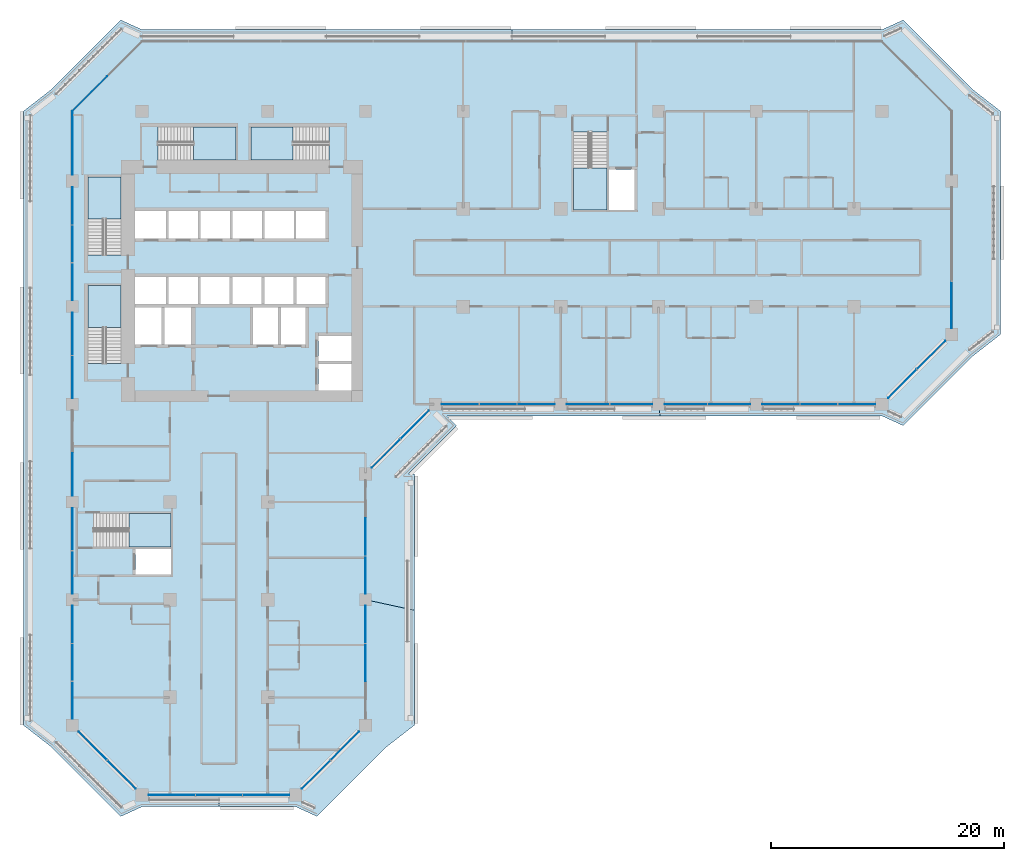
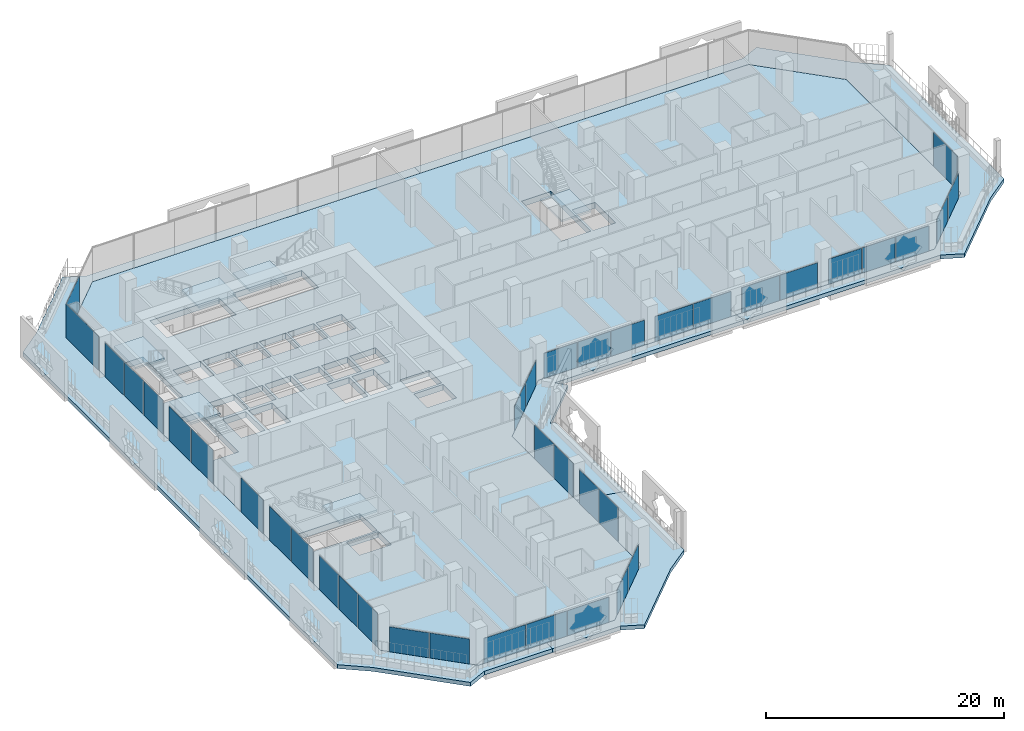
# One storey, part 10 of 25: 39 plates, 11 slabs, 16 elements without a shape of their own.
"""IFC4 building model written with IfcOpenShell, lengths in metres."""

from ifc_helpers import new_model, si_unit, direction, frame, origin, origin_2d, place, context, subcontext, project, spatial, polyline, rectangle, outline, extrude, material, layer, layer_set, type_object, element, aggregate, save


model = new_model("IFC4")

# Units and contexts
model_context = context("Model", 3, precision=1e-05, world=origin(), true_north=direction((0.0, 1.0)))
body_context = subcontext(model_context, "Body", "Model", "MODEL_VIEW")
ifc_project = project(units=[si_unit("LENGTHUNIT", "METRE"), si_unit("AREAUNIT", "SQUARE_METRE"), si_unit("VOLUMEUNIT", "CUBIC_METRE"), si_unit("PLANEANGLEUNIT", "RADIAN"), si_unit("MASSUNIT", "GRAM", prefix="KILO")], contexts=[model_context])

# Site, building, storey
site_placement = place(None, origin())
site = spatial("IfcSite", under=ifc_project, at=site_placement, CompositionType="ELEMENT")
building_placement = place(site_placement, origin())
building = spatial("IfcBuilding", under=site, at=building_placement, Name="Kawkab Arch Medical Tower", CompositionType="ELEMENT")
storey_placement = place(building_placement, frame((0.0, 0.0, 145.0)))
storey = spatial("IfcBuildingStorey", under=building, at=storey_placement, Name="L33", CompositionType="ELEMENT", Elevation=145.0)

# Curtain wall, plates
ifc_material_1 = material(Name="Bronze anodised aluminium curtain wall frame", Category="aluminium")
ifc_layer_1 = layer(ifc_material_1, 0.159912109375)
ifc_layer_set_1 = layer_set([ifc_layer_1], Name="Bronze anodised aluminium curtain wall frame")
curtain_wall_type_1 = type_object("IfcCurtainWallType", Name="CW1 ward curtain wall", PredefinedType="NOTDEFINED", material=ifc_layer_set_1)
placement_1 = place(storey_placement, origin())
curtain_wall_1 = element("IfcCurtainWall", 1, at=placement_1, inside=storey, type_object=curtain_wall_type_1, Name="CW1 Ward curtain wall R01", PredefinedType="NOTDEFINED")
ifc_material_2 = material(Name="Tinted insulating glass, bronze low-e coating", Category="glass")
ifc_layer_2 = layer(ifc_material_2, 0.031982421875)
ifc_layer_set_2 = layer_set([ifc_layer_2], Name="Tinted insulating glass, bronze low-e coating")
plate_type_1 = type_object("IfcPlateType", Name="CW1 glazing unit 32", PredefinedType="CURTAIN_PANEL", material=ifc_layer_set_2)
plate_1_placement = place(storey_placement, frame((0.0, -2.72509765625, 0.0), z_axis=(0.0, 0.0, 1.0), x_axis=(0.0, -1.0, 0.0)))
plate_1 = element("IfcPlate", 2, at=plate_1_placement, type_object=plate_type_1, Name="CW1 glazing unit 1.1", PredefinedType="CURTAIN_PANEL", context=body_context, shape_type="SweptSolid", body=[
    extrude(rectangle(XDim=5.449951171875, YDim=0.031982421875, at=origin_2d()), origin(), (0.0, 0.0, 1.0), 3.47998046875),
])
plate_2_placement = place(storey_placement, frame((0.0, -8.15576171875, 0.0), z_axis=(0.0, 0.0, 1.0), x_axis=(0.0, -1.0, 0.0)))
plate_2 = element("IfcPlate", 3, at=plate_2_placement, type_object=plate_type_1, Name="CW1 glazing unit 2.1", PredefinedType="CURTAIN_PANEL", context=body_context, shape_type="SweptSolid", body=[
    extrude(rectangle(XDim=3.211669921875, YDim=0.031982421875, at=origin_2d()), origin(), (0.0, 0.0, 1.0), 3.47998046875),
])
plate_3_placement = place(storey_placement, frame((0.0, -11.41259765625, 0.0), z_axis=(0.0, 0.0, 1.0), x_axis=(0.0, -1.0, 0.0)))
plate_3 = element("IfcPlate", 4, at=plate_3_placement, type_object=plate_type_1, Name="CW1 glazing unit 2.2", PredefinedType="CURTAIN_PANEL", context=body_context, shape_type="SweptSolid", body=[
    extrude(rectangle(XDim=3.181640625, YDim=0.031982421875, at=origin_2d()), origin(), (0.0, 0.0, 1.0), 3.47998046875),
])
plate_4_placement = place(storey_placement, frame((0.0, -14.669189453125, 0.0), z_axis=(0.0, 0.0, 1.0), x_axis=(0.0, -1.0, 0.0)))
plate_4 = element("IfcPlate", 5, at=plate_4_placement, type_object=plate_type_1, Name="CW1 glazing unit 2.3", PredefinedType="CURTAIN_PANEL", context=body_context, shape_type="SweptSolid", body=[
    extrude(rectangle(XDim=3.211669921875, YDim=0.031982421875, at=origin_2d()), origin(), (0.0, 0.0, 1.0), 3.47998046875),
])
plate_5_placement = place(storey_placement, frame((0.0, -19.1474609375, 0.0), z_axis=(0.0, 0.0, 1.0), x_axis=(0.0, -1.0, 0.0)))
plate_5 = element("IfcPlate", 6, at=plate_5_placement, type_object=plate_type_1, Name="CW1 glazing unit 3.1", PredefinedType="CURTAIN_PANEL", context=body_context, shape_type="SweptSolid", body=[
    extrude(rectangle(XDim=3.64501953125, YDim=0.031982421875, at=origin_2d()), origin(), (0.0, 0.0, 1.0), 3.47998046875),
])
plate_6_placement = place(storey_placement, frame((0.0, -22.8525390625, 0.0), z_axis=(0.0, 0.0, 1.0), x_axis=(0.0, -1.0, 0.0)))
plate_6 = element("IfcPlate", 7, at=plate_6_placement, type_object=plate_type_1, Name="CW1 glazing unit 3.2", PredefinedType="CURTAIN_PANEL", context=body_context, shape_type="SweptSolid", body=[
    extrude(rectangle(XDim=3.64501953125, YDim=0.031982421875, at=origin_2d()), origin(), (0.0, 0.0, 1.0), 3.47998046875),
])
plate_7_placement = place(storey_placement, frame((0.0, -31.237548828125, 0.0), z_axis=(0.0, 0.0, 1.0), x_axis=(0.0, -1.0, 0.0)))
plate_7 = element("IfcPlate", 8, at=plate_7_placement, type_object=plate_type_1, Name="CW1 glazing unit 4.2", PredefinedType="CURTAIN_PANEL", context=body_context, shape_type="SweptSolid", body=[
    extrude(rectangle(XDim=3.675048828125, YDim=0.031982421875, at=origin_2d()), origin(), (0.0, 0.0, 1.0), 3.47998046875),
])
plate_8_placement = place(storey_placement, frame((0.0, -35.947509765625, 0.0), z_axis=(0.0, 0.0, 1.0), x_axis=(0.0, -1.0, 0.0)))
plate_8 = element("IfcPlate", 9, at=plate_8_placement, type_object=plate_type_1, Name="CW1 glazing unit 5.1", PredefinedType="CURTAIN_PANEL", context=body_context, shape_type="SweptSolid", body=[
    extrude(rectangle(XDim=3.64501953125, YDim=0.031982421875, at=origin_2d()), origin(), (0.0, 0.0, 1.0), 3.47998046875),
])
plate_9_placement = place(storey_placement, frame((0.0, -39.652587890625, 0.0), z_axis=(0.0, 0.0, 1.0), x_axis=(0.0, -1.0, 0.0)))
plate_9 = element("IfcPlate", 10, at=plate_9_placement, type_object=plate_type_1, Name="CW1 glazing unit 5.2", PredefinedType="CURTAIN_PANEL", context=body_context, shape_type="SweptSolid", body=[
    extrude(rectangle(XDim=3.64501953125, YDim=0.031982421875, at=origin_2d()), origin(), (0.0, 0.0, 1.0), 3.47998046875),
])
plate_10_placement = place(storey_placement, frame((0.0, -44.130859375, 0.0), z_axis=(0.0, 0.0, 1.0), x_axis=(0.0, -1.0, 0.0)))
plate_10 = element("IfcPlate", 11, at=plate_10_placement, type_object=plate_type_1, Name="CW1 glazing unit 6.1", PredefinedType="CURTAIN_PANEL", context=body_context, shape_type="SweptSolid", body=[
    extrude(rectangle(XDim=3.211669921875, YDim=0.031982421875, at=origin_2d()), origin(), (0.0, 0.0, 1.0), 3.47998046875),
])
plate_11_placement = place(storey_placement, frame((0.0, -47.387451171875, 0.0), z_axis=(0.0, 0.0, 1.0), x_axis=(0.0, -1.0, 0.0)))
plate_11 = element("IfcPlate", 12, at=plate_11_placement, type_object=plate_type_1, Name="CW1 glazing unit 6.2", PredefinedType="CURTAIN_PANEL", context=body_context, shape_type="SweptSolid", body=[
    extrude(rectangle(XDim=3.181640625, YDim=0.031982421875, at=origin_2d()), origin(), (0.0, 0.0, 1.0), 3.47998046875),
])
plate_12_placement = place(storey_placement, frame((0.0, -50.644287109375, 0.0), z_axis=(0.0, 0.0, 1.0), x_axis=(0.0, -1.0, 0.0)))
plate_12 = element("IfcPlate", 13, at=plate_12_placement, type_object=plate_type_1, Name="CW1 glazing unit 6.3", PredefinedType="CURTAIN_PANEL", context=body_context, shape_type="SweptSolid", body=[
    extrude(rectangle(XDim=3.211669921875, YDim=0.031982421875, at=origin_2d()), origin(), (0.0, 0.0, 1.0), 3.47998046875),
])
aggregate(curtain_wall_1, [plate_1, plate_2, plate_3, plate_4, plate_5, plate_6, plate_7, plate_8, plate_9, plate_10, plate_11, plate_12])

curtain_wall_2 = element("IfcCurtainWall", 14, at=placement_1, inside=storey, type_object=curtain_wall_type_1, Name="CW1 Ward curtain wall R03", PredefinedType="NOTDEFINED")
plate_13_placement = place(storey_placement, frame((8.5517578125, -58.800048828125, 0.0), z_axis=(0.0, 0.0, 1.0), x_axis=(1.0, 0.0, 0.0)))
plate_13 = element("IfcPlate", 15, at=plate_13_placement, type_object=plate_type_1, Name="CW1 glazing unit 1.1", PredefinedType="CURTAIN_PANEL", context=body_context, shape_type="SweptSolid", body=[
    extrude(rectangle(XDim=4.00341796875, YDim=0.031982421875, at=origin_2d()), origin(), (0.0, 0.0, 1.0), 2.580078125),
])
plate_14_placement = place(storey_placement, frame((12.60009765625, -58.800048828125, 0.0), z_axis=(0.0, 0.0, 1.0), x_axis=(1.0, 0.0, 0.0)))
plate_14 = element("IfcPlate", 16, at=plate_14_placement, type_object=plate_type_1, Name="CW1 glazing unit 1.2", PredefinedType="CURTAIN_PANEL", context=body_context, shape_type="SweptSolid", body=[
    extrude(rectangle(XDim=3.973388671875, YDim=0.031982421875, at=origin_2d()), origin(), (0.0, 0.0, 1.0), 2.580078125),
])
plate_15_placement = place(storey_placement, frame((16.6484375, -58.800048828125, 0.0), z_axis=(0.0, 0.0, 1.0), x_axis=(1.0, 0.0, 0.0)))
plate_15 = element("IfcPlate", 17, at=plate_15_placement, type_object=plate_type_1, Name="CW1 glazing unit 1.3", PredefinedType="CURTAIN_PANEL", context=body_context, shape_type="SweptSolid", body=[
    extrude(rectangle(XDim=4.00341796875, YDim=0.031982421875, at=origin_2d()), origin(), (0.0, 0.0, 1.0), 2.580078125),
])
aggregate(curtain_wall_2, [plate_13, plate_14, plate_15])

curtain_wall_3 = element("IfcCurtainWall", 18, at=placement_1, inside=storey, type_object=curtain_wall_type_1, Name="CW1 Ward curtain wall R05", PredefinedType="NOTDEFINED")
plate_16_placement = place(storey_placement, frame((25.199951171875, -47.402587890625, 0.0), z_axis=(0.0, 0.0, 1.0), x_axis=(0.0, 1.0, 0.0)))
plate_16 = element("IfcPlate", 19, at=plate_16_placement, type_object=plate_type_1, Name="CW1 glazing unit 1.2", PredefinedType="CURTAIN_PANEL", context=body_context, shape_type="SweptSolid", body=[
    extrude(rectangle(XDim=3.211669921875, YDim=0.031982421875, at=origin_2d()), origin(), (0.0, 0.0, 1.0), 3.47998046875),
])
plate_17_placement = place(storey_placement, frame((25.199951171875, -44.130859375, 0.0), z_axis=(0.0, 0.0, 1.0), x_axis=(0.0, 1.0, 0.0)))
plate_17 = element("IfcPlate", 20, at=plate_17_placement, type_object=plate_type_1, Name="CW1 glazing unit 1.3", PredefinedType="CURTAIN_PANEL", context=body_context, shape_type="SweptSolid", body=[
    extrude(rectangle(XDim=3.211669921875, YDim=0.031982421875, at=origin_2d()), origin(), (0.0, 0.0, 1.0), 3.47998046875),
])
plate_18_placement = place(storey_placement, frame((25.199951171875, -39.869140625, 0.0), z_axis=(0.0, 0.0, 1.0), x_axis=(0.0, 1.0, 0.0)))
plate_18 = element("IfcPlate", 21, at=plate_18_placement, type_object=plate_type_1, Name="CW1 glazing unit 2.1", PredefinedType="CURTAIN_PANEL", context=body_context, shape_type="SweptSolid", body=[
    extrude(rectangle(XDim=3.211669921875, YDim=0.031982421875, at=origin_2d()), origin(), (0.0, 0.0, 1.0), 3.47998046875),
])
plate_19_placement = place(storey_placement, frame((25.199951171875, -36.597412109375, 0.0), z_axis=(0.0, 0.0, 1.0), x_axis=(0.0, 1.0, 0.0)))
plate_19 = element("IfcPlate", 22, at=plate_19_placement, type_object=plate_type_1, Name="CW1 glazing unit 2.2", PredefinedType="CURTAIN_PANEL", context=body_context, shape_type="SweptSolid", body=[
    extrude(rectangle(XDim=3.211669921875, YDim=0.031982421875, at=origin_2d()), origin(), (0.0, 0.0, 1.0), 3.47998046875),
])
aggregate(curtain_wall_3, [plate_16, plate_17, plate_18, plate_19])

curtain_wall_4 = element("IfcCurtainWall", 23, at=placement_1, inside=storey, type_object=curtain_wall_type_1, Name="CW1 Ward curtain wall R07", PredefinedType="NOTDEFINED")
plate_20_placement = place(storey_placement, frame((33.355712890625, -25.199951171875, 0.0), z_axis=(0.0, 0.0, 1.0), x_axis=(1.0, 0.0, 0.0)))
plate_20 = element("IfcPlate", 24, at=plate_20_placement, type_object=plate_type_1, Name="CW1 glazing unit 1.1", PredefinedType="CURTAIN_PANEL", context=body_context, shape_type="SweptSolid", body=[
    extrude(rectangle(XDim=3.211669921875, YDim=0.031982421875, at=origin_2d()), origin(), (0.0, 0.0, 1.0), 2.580078125),
])
plate_21_placement = place(storey_placement, frame((36.612548828125, -25.199951171875, 0.0), z_axis=(0.0, 0.0, 1.0), x_axis=(1.0, 0.0, 0.0)))
plate_21 = element("IfcPlate", 25, at=plate_21_placement, type_object=plate_type_1, Name="CW1 glazing unit 1.2", PredefinedType="CURTAIN_PANEL", context=body_context, shape_type="SweptSolid", body=[
    extrude(rectangle(XDim=3.181640625, YDim=0.031982421875, at=origin_2d()), origin(), (0.0, 0.0, 1.0), 2.580078125),
])
plate_22_placement = place(storey_placement, frame((39.869140625, -25.199951171875, 0.0), z_axis=(0.0, 0.0, 1.0), x_axis=(1.0, 0.0, 0.0)))
plate_22 = element("IfcPlate", 26, at=plate_22_placement, type_object=plate_type_1, Name="CW1 glazing unit 1.3", PredefinedType="CURTAIN_PANEL", context=body_context, shape_type="SweptSolid", body=[
    extrude(rectangle(XDim=3.211669921875, YDim=0.031982421875, at=origin_2d()), origin(), (0.0, 0.0, 1.0), 2.580078125),
])
plate_23_placement = place(storey_placement, frame((44.347412109375, -25.199951171875, 0.0), z_axis=(0.0, 0.0, 1.0), x_axis=(1.0, 0.0, 0.0)))
plate_23 = element("IfcPlate", 27, at=plate_23_placement, type_object=plate_type_1, Name="CW1 glazing unit 2.1", PredefinedType="CURTAIN_PANEL", context=body_context, shape_type="SweptSolid", body=[
    extrude(rectangle(XDim=3.64501953125, YDim=0.031982421875, at=origin_2d()), origin(), (0.0, 0.0, 1.0), 2.580078125),
])
plate_24_placement = place(storey_placement, frame((48.052490234375, -25.199951171875, 0.0), z_axis=(0.0, 0.0, 1.0), x_axis=(1.0, 0.0, 0.0)))
plate_24 = element("IfcPlate", 28, at=plate_24_placement, type_object=plate_type_1, Name="CW1 glazing unit 2.2", PredefinedType="CURTAIN_PANEL", context=body_context, shape_type="SweptSolid", body=[
    extrude(rectangle(XDim=3.64501953125, YDim=0.031982421875, at=origin_2d()), origin(), (0.0, 0.0, 1.0), 2.580078125),
])
plate_25_placement = place(storey_placement, frame((52.74755859375, -25.199951171875, 0.0), z_axis=(0.0, 0.0, 1.0), x_axis=(1.0, 0.0, 0.0)))
plate_25 = element("IfcPlate", 29, at=plate_25_placement, type_object=plate_type_1, Name="CW1 glazing unit 3.1", PredefinedType="CURTAIN_PANEL", context=body_context, shape_type="SweptSolid", body=[
    extrude(rectangle(XDim=3.64501953125, YDim=0.031982421875, at=origin_2d()), origin(), (0.0, 0.0, 1.0), 2.580078125),
])
plate_26_placement = place(storey_placement, frame((56.452392578125, -25.199951171875, 0.0), z_axis=(0.0, 0.0, 1.0), x_axis=(1.0, 0.0, 0.0)))
plate_26 = element("IfcPlate", 30, at=plate_26_placement, type_object=plate_type_1, Name="CW1 glazing unit 3.2", PredefinedType="CURTAIN_PANEL", context=body_context, shape_type="SweptSolid", body=[
    extrude(rectangle(XDim=3.64501953125, YDim=0.031982421875, at=origin_2d()), origin(), (0.0, 0.0, 1.0), 2.580078125),
])
plate_27_placement = place(storey_placement, frame((60.930908203125, -25.199951171875, 0.0), z_axis=(0.0, 0.0, 1.0), x_axis=(1.0, 0.0, 0.0)))
plate_27 = element("IfcPlate", 31, at=plate_27_placement, type_object=plate_type_1, Name="CW1 glazing unit 4.1", PredefinedType="CURTAIN_PANEL", context=body_context, shape_type="SweptSolid", body=[
    extrude(rectangle(XDim=3.211669921875, YDim=0.031982421875, at=origin_2d()), origin(), (0.0, 0.0, 1.0), 2.580078125),
])
plate_28_placement = place(storey_placement, frame((64.1875, -25.199951171875, 0.0), z_axis=(0.0, 0.0, 1.0), x_axis=(1.0, 0.0, 0.0)))
plate_28 = element("IfcPlate", 32, at=plate_28_placement, type_object=plate_type_1, Name="CW1 glazing unit 4.2", PredefinedType="CURTAIN_PANEL", context=body_context, shape_type="SweptSolid", body=[
    extrude(rectangle(XDim=3.181640625, YDim=0.031982421875, at=origin_2d()), origin(), (0.0, 0.0, 1.0), 2.580078125),
])
plate_29_placement = place(storey_placement, frame((67.444091796875, -25.199951171875, 0.0), z_axis=(0.0, 0.0, 1.0), x_axis=(1.0, 0.0, 0.0)))
plate_29 = element("IfcPlate", 33, at=plate_29_placement, type_object=plate_type_1, Name="CW1 glazing unit 4.3", PredefinedType="CURTAIN_PANEL", context=body_context, shape_type="SweptSolid", body=[
    extrude(rectangle(XDim=3.211669921875, YDim=0.031982421875, at=origin_2d()), origin(), (0.0, 0.0, 1.0), 2.580078125),
])
aggregate(curtain_wall_4, [plate_20, plate_21, plate_22, plate_23, plate_24, plate_25, plate_26, plate_27, plate_28, plate_29])

# Curtain wall, plate
curtain_wall_5 = element("IfcCurtainWall", 34, at=placement_1, inside=storey, type_object=curtain_wall_type_1, Name="CW1 Ward curtain wall R09", PredefinedType="NOTDEFINED")
plate_30_placement = place(storey_placement, frame((75.60009765625, -16.6484375, 0.0), z_axis=(0.0, 0.0, 1.0), x_axis=(0.0, 1.0, 0.0)))
plate_30 = element("IfcPlate", 35, at=plate_30_placement, type_object=plate_type_1, Name="CW1 glazing unit 1.1", PredefinedType="CURTAIN_PANEL", context=body_context, shape_type="SweptSolid", body=[
    extrude(rectangle(XDim=4.00341796875, YDim=0.031982421875, at=origin_2d()), origin(), (0.0, 0.0, 1.0), 3.47998046875),
])
aggregate(curtain_wall_5, [plate_30])

# Curtain wall, plates
ifc_material_3 = material(Name="Bronze anodised aluminium curtain wall frame", Category="aluminium")
ifc_layer_3 = layer(ifc_material_3, 0.159912109375)
ifc_layer_set_3 = layer_set([ifc_layer_3], Name="Bronze anodised aluminium curtain wall frame")
curtain_wall_type_2 = type_object("IfcCurtainWallType", Name="CW2 chamfer curtain wall", PredefinedType="NOTDEFINED", material=ifc_layer_set_3)
curtain_wall_6 = element("IfcCurtainWall", 36, at=placement_1, inside=storey, type_object=curtain_wall_type_2, Name="CW2 Chamfer curtain wall R02", PredefinedType="NOTDEFINED")
ifc_material_4 = material(Name="Tinted insulating glass, bronze low-e coating", Category="glass")
ifc_layer_4 = layer(ifc_material_4, 0.031982421875)
ifc_layer_set_4 = layer_set([ifc_layer_4], Name="Tinted insulating glass, bronze low-e coating")
plate_type_2 = type_object("IfcPlateType", Name="CW2 glazing unit 32", PredefinedType="CURTAIN_PANEL", material=ifc_layer_set_4)
plate_31_placement = place(storey_placement, frame((1.764404296875, -54.564453125, 0.0), z_axis=(0.0, 0.0, 1.0), x_axis=(0.707106781187, -0.707106781187, 0.0)))
plate_31 = element("IfcPlate", 37, at=plate_31_placement, type_object=plate_type_2, Name="CW2 glazing unit 1.1", PredefinedType="CURTAIN_PANEL", context=body_context, shape_type="SweptSolid", body=[
    extrude(rectangle(XDim=3.434814453125, YDim=0.031982421875, at=origin_2d()), origin(), (0.0, 0.0, 1.0), 2.56005859375),
])
plate_32_placement = place(storey_placement, frame((4.235595703125, -57.03564453125, 0.0), z_axis=(0.0, 0.0, 1.0), x_axis=(0.707106781187, -0.707106781187, 0.0)))
plate_32 = element("IfcPlate", 38, at=plate_32_placement, type_object=plate_type_2, Name="CW2 glazing unit 1.2", PredefinedType="CURTAIN_PANEL", context=body_context, shape_type="SweptSolid", body=[
    extrude(rectangle(XDim=3.434814453125, YDim=0.031982421875, at=origin_2d()), origin(), (0.0, 0.0, 1.0), 2.56005859375),
])
aggregate(curtain_wall_6, [plate_31, plate_32])

curtain_wall_7 = element("IfcCurtainWall", 39, at=placement_1, inside=storey, type_object=curtain_wall_type_2, Name="CW2 Chamfer curtain wall R04", PredefinedType="NOTDEFINED")
plate_33_placement = place(storey_placement, frame((20.96435546875, -57.03564453125, 0.0), z_axis=(0.0, 0.0, 1.0), x_axis=(0.707106781187, 0.707106781187, 0.0)))
plate_33 = element("IfcPlate", 40, at=plate_33_placement, type_object=plate_type_2, Name="CW2 glazing unit 1.1", PredefinedType="CURTAIN_PANEL", context=body_context, shape_type="SweptSolid", body=[
    extrude(rectangle(XDim=3.434814453125, YDim=0.031982421875, at=origin_2d()), origin(), (0.0, 0.0, 1.0), 2.56005859375),
])
plate_34_placement = place(storey_placement, frame((23.435546875, -54.564453125, 0.0), z_axis=(0.0, 0.0, 1.0), x_axis=(0.707106781187, 0.707106781187, 0.0)))
plate_34 = element("IfcPlate", 41, at=plate_34_placement, type_object=plate_type_2, Name="CW2 glazing unit 1.2", PredefinedType="CURTAIN_PANEL", context=body_context, shape_type="SweptSolid", body=[
    extrude(rectangle(XDim=3.434814453125, YDim=0.031982421875, at=origin_2d()), origin(), (0.0, 0.0, 1.0), 2.56005859375),
])
aggregate(curtain_wall_7, [plate_33, plate_34])

curtain_wall_8 = element("IfcCurtainWall", 42, at=placement_1, inside=storey, type_object=curtain_wall_type_2, Name="CW2 Chamfer curtain wall R06", PredefinedType="NOTDEFINED")
plate_35_placement = place(storey_placement, frame((26.96435546875, -29.435546875, 0.0), z_axis=(0.0, 0.0, 1.0), x_axis=(0.707106781187, 0.707106781187, 0.0)))
plate_35 = element("IfcPlate", 43, at=plate_35_placement, type_object=plate_type_2, Name="CW2 glazing unit 1.1", PredefinedType="CURTAIN_PANEL", context=body_context, shape_type="SweptSolid", body=[
    extrude(rectangle(XDim=3.434814453125, YDim=0.031982421875, at=origin_2d()), origin(), (0.0, 0.0, 1.0), 2.56005859375),
])
plate_36_placement = place(storey_placement, frame((29.435546875, -26.96435546875, 0.0), z_axis=(0.0, 0.0, 1.0), x_axis=(0.707106781187, 0.707106781187, 0.0)))
plate_36 = element("IfcPlate", 44, at=plate_36_placement, type_object=plate_type_2, Name="CW2 glazing unit 1.2", PredefinedType="CURTAIN_PANEL", context=body_context, shape_type="SweptSolid", body=[
    extrude(rectangle(XDim=3.434814453125, YDim=0.031982421875, at=origin_2d()), origin(), (0.0, 0.0, 1.0), 2.56005859375),
])
aggregate(curtain_wall_8, [plate_35, plate_36])

curtain_wall_9 = element("IfcCurtainWall", 45, at=placement_1, inside=storey, type_object=curtain_wall_type_2, Name="CW2 Chamfer curtain wall R08", PredefinedType="NOTDEFINED")
plate_37_placement = place(storey_placement, frame((71.364501953125, -23.435546875, 0.0), z_axis=(0.0, 0.0, 1.0), x_axis=(0.707106781187, 0.707106781187, 0.0)))
plate_37 = element("IfcPlate", 46, at=plate_37_placement, type_object=plate_type_2, Name="CW2 glazing unit 1.1", PredefinedType="CURTAIN_PANEL", context=body_context, shape_type="SweptSolid", body=[
    extrude(rectangle(XDim=3.434814453125, YDim=0.031982421875, at=origin_2d()), origin(), (0.0, 0.0, 1.0), 2.56005859375),
])
plate_38_placement = place(storey_placement, frame((73.835693359375, -20.96435546875, 0.0), z_axis=(0.0, 0.0, 1.0), x_axis=(0.707106781187, 0.707106781187, 0.0)))
plate_38 = element("IfcPlate", 47, at=plate_38_placement, type_object=plate_type_2, Name="CW2 glazing unit 1.2", PredefinedType="CURTAIN_PANEL", context=body_context, shape_type="SweptSolid", body=[
    extrude(rectangle(XDim=3.434814453125, YDim=0.031982421875, at=origin_2d()), origin(), (0.0, 0.0, 1.0), 2.56005859375),
])
aggregate(curtain_wall_9, [plate_37, plate_38])

# Curtain wall, plate
curtain_wall_10 = element("IfcCurtainWall", 48, at=placement_1, inside=storey, type_object=curtain_wall_type_2, Name="CW2 Chamfer curtain wall R12", PredefinedType="NOTDEFINED")
plate_39_placement = place(storey_placement, frame((1.5, 1.5, 0.0), z_axis=(0.0, 0.0, 1.0), x_axis=(-0.707106781187, -0.707106781187, 0.0)))
plate_39 = element("IfcPlate", 49, at=plate_39_placement, type_object=plate_type_2, Name="CW2 glazing unit 2.1", PredefinedType="CURTAIN_PANEL", context=body_context, shape_type="SweptSolid", body=[
    extrude(rectangle(XDim=4.24267578125, YDim=0.031982421875, at=origin_2d()), origin(), (0.0, 0.0, 1.0), 3.4599609375),
])
aggregate(curtain_wall_10, [plate_39])

# Stair, slab
ifc_material_5 = material(Name="Concrete C40/50", Category="concrete")
stair_type = type_object("IfcStairType", Name="Exit stair 1350", PredefinedType="HALF_TURN_STAIR", material=ifc_material_5)
stair_1 = element("IfcStair", 50, at=placement_1, inside=storey, type_object=stair_type, Name="L33 Exit stair ST1", PredefinedType="HALF_TURN_STAIR")
ifc_material_6 = material(Name="Concrete C40/50", Category="concrete")
ifc_layer_5 = layer(ifc_material_6, 0.199951171875)
ifc_layer_set_5 = layer_set([ifc_layer_5], Name="Concrete C40/50")
slab_type_1 = type_object("IfcSlabType", Name="Exit stair landing 200", PredefinedType="LANDING", material=ifc_layer_set_5)
placement_2 = place(storey_placement, frame((0.0, 0.0, 1.89990234375)))
slab_1 = element("IfcSlab", 51, at=placement_2, type_object=slab_type_1, Name="ST1 landing 1", PredefinedType="LANDING", context=body_context, shape_type="SweptSolid", body=[
    extrude(outline(polyline([(4.199951171875, -9.27001953125), (4.199951171875, -5.64990234375), (1.35009765625, -5.64990234375), (1.35009765625, -9.27001953125), (4.199951171875, -9.27001953125)])), origin(), (0.0, 0.0, 1.0), 0.2001953125),
])
aggregate(stair_1, [slab_1])

stair_2 = element("IfcStair", 52, at=placement_1, inside=storey, type_object=stair_type, Name="L33 Exit stair ST2", PredefinedType="HALF_TURN_STAIR")
slab_2 = element("IfcSlab", 53, at=placement_2, type_object=slab_type_1, Name="ST2 landing 1", PredefinedType="LANDING", context=body_context, shape_type="SweptSolid", body=[
    extrude(outline(polyline([(4.199951171875, -18.6201171875), (4.199951171875, -15.0), (1.35009765625, -15.0), (1.35009765625, -18.6201171875), (4.199951171875, -18.6201171875)])), origin(), (0.0, 0.0, 1.0), 0.2001953125),
])
aggregate(stair_2, [slab_2])

stair_3 = element("IfcStair", 54, at=placement_1, inside=storey, type_object=stair_type, Name="L33 Exit stair ST3", PredefinedType="HALF_TURN_STAIR")
slab_3 = element("IfcSlab", 55, at=placement_2, type_object=slab_type_1, Name="ST3 landing 1", PredefinedType="LANDING", context=body_context, shape_type="SweptSolid", body=[
    extrude(outline(polyline([(10.429931640625, -4.199951171875), (14.050048828125, -4.199951171875), (14.050048828125, -1.35009765625), (10.429931640625, -1.35009765625), (10.429931640625, -4.199951171875)])), origin(), (0.0, 0.0, 1.0), 0.2001953125),
])
aggregate(stair_3, [slab_3])

stair_4 = element("IfcStair", 56, at=placement_1, inside=storey, type_object=stair_type, Name="L33 Exit stair ST4", PredefinedType="HALF_TURN_STAIR")
slab_4 = element("IfcSlab", 57, at=placement_2, type_object=slab_type_1, Name="ST4 landing 1", PredefinedType="LANDING", context=body_context, shape_type="SweptSolid", body=[
    extrude(outline(polyline([(18.969970703125, -1.35009765625), (15.35009765625, -1.35009765625), (15.35009765625, -4.199951171875), (18.969970703125, -4.199951171875), (18.969970703125, -1.35009765625)])), origin(), (0.0, 0.0, 1.0), 0.2001953125),
])
aggregate(stair_4, [slab_4])

stair_5 = element("IfcStair", 58, at=placement_1, inside=storey, type_object=stair_type, Name="L33 Exit stair ST5", PredefinedType="HALF_TURN_STAIR")
slab_5 = element("IfcSlab", 59, at=placement_2, type_object=slab_type_1, Name="ST5 landing 1", PredefinedType="LANDING", context=body_context, shape_type="SweptSolid", body=[
    extrude(outline(polyline([(43.10009765625, -4.8798828125), (43.10009765625, -8.5), (45.949951171875, -8.5), (45.949951171875, -4.8798828125), (43.10009765625, -4.8798828125)])), origin(), (0.0, 0.0, 1.0), 0.2001953125),
])
aggregate(stair_5, [slab_5])

stair_6 = element("IfcStair", 60, at=placement_1, inside=storey, type_object=stair_type, Name="L33 Exit stair ST6", PredefinedType="HALF_TURN_STAIR")
slab_6 = element("IfcSlab", 61, at=placement_2, type_object=slab_type_1, Name="ST6 landing 1", PredefinedType="LANDING", context=body_context, shape_type="SweptSolid", body=[
    extrude(outline(polyline([(4.8798828125, -37.449951171875), (8.5, -37.449951171875), (8.5, -34.60009765625), (4.8798828125, -34.60009765625), (4.8798828125, -37.449951171875)])), origin(), (0.0, 0.0, 1.0), 0.2001953125),
])
aggregate(stair_6, [slab_6])

# Slabs
ifc_material_7 = material(Name="Concrete C45/55", Category="concrete")
ifc_layer_6 = layer(ifc_material_7, 0.60009765625)
ifc_layer_set_6 = layer_set([ifc_layer_6], Name="Concrete C45/55")
slab_type_2 = type_object("IfcSlabType", Name="Flat plate 600 C45/55", PredefinedType="FLOOR", material=ifc_layer_set_6)
slab_7_placement = place(storey_placement, frame((0.0, 0.0, -0.60009765625)))
element("IfcSlab", 62, at=slab_7_placement, inside=storey, type_object=slab_type_2, Name="Floor slab L33", PredefinedType="FLOOR", context=body_context, shape_type="SweptSolid", body=[
    extrude(outline(polyline([(6.0, 6.0), (69.60009765625, 6.0), (75.60009765625, 0.0), (75.60009765625, -19.199951171875), (69.60009765625, -25.199951171875), (31.199951171875, -25.199951171875), (25.199951171875, -31.199951171875), (25.199951171875, -52.800048828125), (19.199951171875, -58.800048828125), (6.0, -58.800048828125), (0.0, -52.800048828125), (0.0, 0.0), (6.0, 6.0)]), holes=[polyline([(5.425048828125, -37.64990234375), (5.425048828125, -39.85009765625), (8.5, -39.85009765625), (8.5, -37.64990234375), (5.425048828125, -37.64990234375)]), polyline([(1.800048828125, -37.449951171875), (8.5, -37.449951171875), (8.5, -34.60009765625), (1.800048828125, -34.60009765625), (1.800048828125, -37.449951171875)]), polyline([(5.39990234375, -16.89990234375), (5.39990234375, -20.050048828125), (7.675048828125, -20.050048828125), (7.675048828125, -16.89990234375), (5.39990234375, -16.89990234375)]), polyline([(10.199951171875, -16.89990234375), (7.925048828125, -16.89990234375), (7.925048828125, -20.050048828125), (10.199951171875, -20.050048828125), (10.199951171875, -16.89990234375)]), polyline([(4.199951171875, -21.699951171875), (4.199951171875, -15.0), (1.35009765625, -15.0), (1.35009765625, -21.699951171875), (4.199951171875, -21.699951171875)]), polyline([(5.39990234375, -14.25), (5.39990234375, -16.60009765625), (8.050048828125, -16.60009765625), (8.050048828125, -14.25), (5.39990234375, -14.25)]), polyline([(8.25, -16.60009765625), (10.800048828125, -16.60009765625), (10.800048828125, -14.25), (8.25, -14.25), (8.25, -16.60009765625)]), polyline([(13.52490234375, -16.60009765625), (13.52490234375, -14.25), (11.0, -14.25), (11.0, -16.60009765625), (13.52490234375, -16.60009765625)]), polyline([(5.39990234375, -8.60009765625), (5.39990234375, -10.949951171875), (8.050048828125, -10.949951171875), (8.050048828125, -8.60009765625), (5.39990234375, -8.60009765625)]), polyline([(8.25, -10.949951171875), (10.800048828125, -10.949951171875), (10.800048828125, -8.60009765625), (8.25, -8.60009765625), (8.25, -10.949951171875)]), polyline([(13.550048828125, -8.60009765625), (11.0, -8.60009765625), (11.0, -10.949951171875), (13.550048828125, -10.949951171875), (13.550048828125, -8.60009765625)]), polyline([(4.199951171875, -12.35009765625), (4.199951171875, -5.64990234375), (1.35009765625, -5.64990234375), (1.35009765625, -12.35009765625), (4.199951171875, -12.35009765625)]), polyline([(7.35009765625, -4.199951171875), (14.050048828125, -4.199951171875), (14.050048828125, -1.35009765625), (7.35009765625, -1.35009765625), (7.35009765625, -4.199951171875)]), polyline([(24.0, -21.72509765625), (21.14990234375, -21.72509765625), (21.14990234375, -24.0), (24.0, -24.0), (24.0, -21.72509765625)]), polyline([(24.0, -21.47509765625), (24.0, -19.35009765625), (21.14990234375, -19.35009765625), (21.14990234375, -21.47509765625), (24.0, -21.47509765625)]), polyline([(17.675048828125, -20.050048828125), (17.675048828125, -16.89990234375), (15.52490234375, -16.89990234375), (15.52490234375, -20.050048828125), (17.675048828125, -20.050048828125)]), polyline([(20.050048828125, -16.89990234375), (17.925048828125, -16.89990234375), (17.925048828125, -20.050048828125), (20.050048828125, -20.050048828125), (20.050048828125, -16.89990234375)]), polyline([(13.77490234375, -16.60009765625), (16.27490234375, -16.60009765625), (16.27490234375, -14.25), (13.77490234375, -14.25), (13.77490234375, -16.60009765625)]), polyline([(16.52490234375, -16.60009765625), (19.02490234375, -16.60009765625), (19.02490234375, -14.25), (16.52490234375, -14.25), (16.52490234375, -16.60009765625)]), polyline([(21.75, -14.25), (19.27490234375, -14.25), (19.27490234375, -16.60009765625), (21.75, -16.60009765625), (21.75, -14.25)]), polyline([(16.300048828125, -10.949951171875), (16.300048828125, -8.60009765625), (13.75, -8.60009765625), (13.75, -10.949951171875), (16.300048828125, -10.949951171875)]), polyline([(19.050048828125, -10.949951171875), (19.050048828125, -8.60009765625), (16.5, -8.60009765625), (16.5, -10.949951171875), (19.050048828125, -10.949951171875)]), polyline([(21.75, -8.60009765625), (19.25, -8.60009765625), (19.25, -10.949951171875), (21.75, -10.949951171875), (21.75, -8.60009765625)]), polyline([(46.14990234375, -5.02490234375), (46.14990234375, -8.5), (48.35009765625, -8.5), (48.35009765625, -5.02490234375), (46.14990234375, -5.02490234375)]), polyline([(43.10009765625, -1.800048828125), (43.10009765625, -8.5), (45.949951171875, -8.5), (45.949951171875, -1.800048828125), (43.10009765625, -1.800048828125)]), polyline([(22.050048828125, -1.35009765625), (15.35009765625, -1.35009765625), (15.35009765625, -4.199951171875), (22.050048828125, -4.199951171875), (22.050048828125, -1.35009765625)])]), origin(), (0.0, 0.0, 1.0), 0.60009765625),
])
ifc_material_8 = material(Name="Concrete C40/50", Category="concrete")
ifc_layer_7 = layer(ifc_material_8, 0.39990234375)
ifc_layer_set_7 = layer_set([ifc_layer_7], Name="Concrete C40/50")
slab_type_3 = type_object("IfcSlabType", Name="Loggia slab 400", PredefinedType="FLOOR", material=ifc_layer_set_7)
placement_3 = place(storey_placement, frame((0.0, 0.0, -0.39990234375)))
element("IfcSlab", 63, at=placement_3, inside=storey, type_object=slab_type_3, Name="Loggia slab L33.1", PredefinedType="FLOOR", context=body_context, shape_type="SweptSolid", body=[
    extrude(outline(polyline([(19.199951171875, -59.800048828125), (12.60009765625, -59.800048828125), (12.60009765625, -58.800048828125), (19.199951171875, -58.800048828125), (25.199951171875, -52.800048828125), (25.199951171875, -42.0), (29.39990234375, -42.9130859375), (29.39990234375, -52.800048828125), (27.0380859375, -54.637939453125), (21.0380859375, -60.637939453125), (19.199951171875, -59.800048828125)])), origin(), (0.0, 0.0, 1.0), 0.39990234375),
])
element("IfcSlab", 64, at=placement_3, inside=storey, type_object=slab_type_3, Name="Loggia slab L33.2", PredefinedType="FLOOR", context=body_context, shape_type="SweptSolid", body=[
    extrude(outline(polyline([(33.037109375, -27.0380859375), (28.8759765625, -31.199951171875), (29.39990234375, -31.199951171875), (29.39990234375, -42.9130859375), (25.199951171875, -42.0), (25.199951171875, -31.199951171875), (31.199951171875, -25.199951171875), (50.39990234375, -25.199951171875), (50.534912109375, -26.199951171875), (32.198974609375, -26.199951171875), (33.037109375, -27.0380859375)])), origin(), (0.0, 0.0, 1.0), 0.39990234375),
])
element("IfcSlab", 65, at=placement_3, inside=storey, type_object=slab_type_3, Name="Loggia slab L33.3", PredefinedType="FLOOR", context=body_context, shape_type="SweptSolid", body=[
    extrude(outline(polyline([(-4.199951171875, 0.0), (-1.837890625, 1.837890625), (4.162109375, 7.837890625), (6.0, 7.0), (37.800048828125, 7.0), (37.800048828125, 6.0), (6.0, 6.0), (0.0, 0.0), (-0.0009765625, 0.0), (-0.0009765625, -52.800048828125), (0.0, -52.800048828125), (6.0, -58.800048828125), (12.60009765625, -58.800048828125), (12.60009765625, -59.800048828125), (6.0, -59.800048828125), (4.162109375, -60.637939453125), (-1.837890625, -54.637939453125), (-4.199951171875, -52.800048828125), (-4.199951171875, 0.0)])), origin(), (0.0, 0.0, 1.0), 0.39990234375),
])
element("IfcSlab", 66, at=placement_3, inside=storey, type_object=slab_type_3, Name="Loggia slab L33.4", PredefinedType="FLOOR", context=body_context, shape_type="SweptSolid", body=[
    extrude(outline(polyline([(37.800048828125, 7.0), (69.60009765625, 7.0), (71.43798828125, 7.837890625), (77.43798828125, 1.837890625), (79.800048828125, 0.0), (79.800048828125, -19.199951171875), (77.43798828125, -21.0380859375), (71.43798828125, -27.0380859375), (69.60009765625, -26.199951171875), (50.534912109375, -26.199951171875), (50.39990234375, -25.199951171875), (69.60009765625, -25.199951171875), (75.60009765625, -19.199951171875), (75.60009765625, 0.0), (69.60009765625, 6.0), (37.800048828125, 6.0), (37.800048828125, 7.0)])), origin(), (0.0, 0.0, 1.0), 0.39990234375),
])

save(model, "model.ifc")
